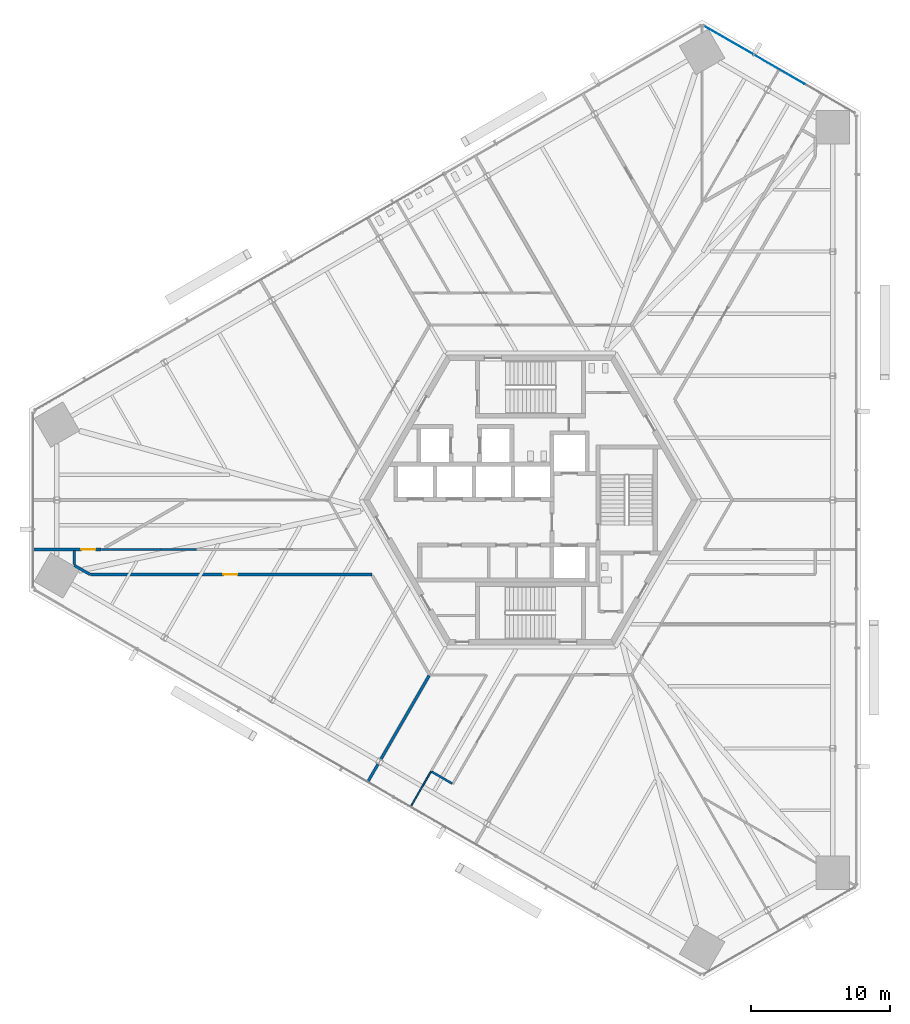
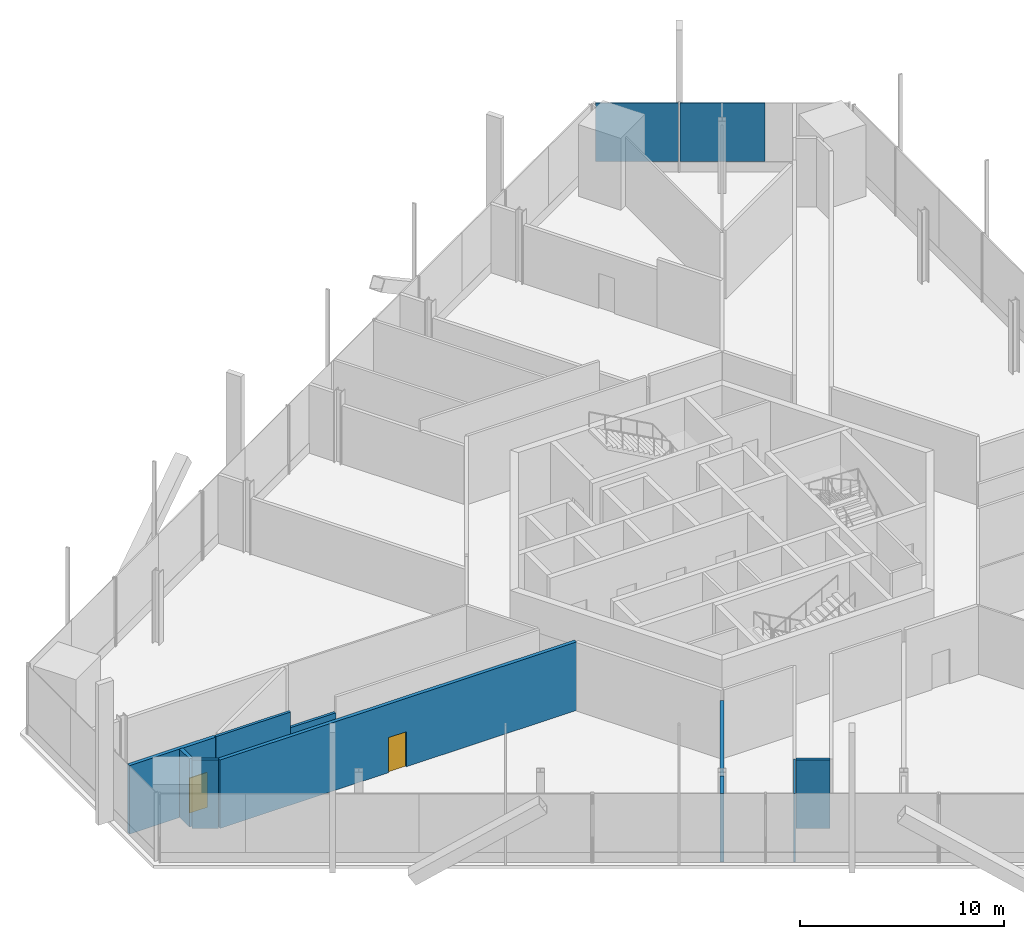
# One storey, part 10 of 19: 10 walls, 2 doors, 2 plates, 2 openings, 1 element without a shape of its own.
"""IFC4 building model written with IfcOpenShell, lengths in metres."""

import ifcopenshell
import ifcopenshell.guid

model = None  # the IFC model being written
_history = None  # IfcOwnerHistory: only IFC2X3 demands one
_inside = {}  # id of a spatial element -> (the spatial element, [elements in it])
_under = {}  # id of a project, library or spatial element -> (it, [spatial elements below it])
_declared = {}  # id of a project -> (the project, [libraries it declares])
_typed = {}  # id of a type object -> (the type object, [elements of that type])
_made_of = {}  # id of a material, layer set ... -> (it, [elements and type objects made of it])


def new_model(schema):
    """Start an empty IFC model of exactly this schema.

    Asked for "IFC4X3", IfcOpenShell would pick the latest addendum, in which some entities
    have other attributes; the version numbers below select the first issue.
    IFC2X3 requires an IfcOwnerHistory on every rooted entity: one is made here for all.
    """
    global model, _history
    if schema == "IFC4X3":
        model = ifcopenshell.file(schema_version=(4, 3, 0, 0))
    else:
        model = ifcopenshell.file(schema=schema)
    _inside.clear()
    _under.clear()
    _declared.clear()
    _typed.clear()
    _made_of.clear()
    _history = None
    if model.schema == "IFC2X3":
        org = make("IfcOrganization", Name="unknown")
        user = make(
            "IfcPersonAndOrganization",
            ThePerson=make("IfcPerson", FamilyName="unknown"),
            TheOrganization=org,
        )
        app = make(
            "IfcApplication",
            ApplicationDeveloper=org,
            Version="unknown",
            ApplicationFullName="unknown",
            ApplicationIdentifier="unknown",
        )
        _history = make(
            "IfcOwnerHistory",
            OwningUser=user,
            OwningApplication=app,
            ChangeAction="ADDED",
            CreationDate=0,
        )
    return model


def make(cls, **values):
    """One entity of the class cls with the attributes given. An attribute that is None is left unset."""
    return model.create_entity(
        cls, **{name: value for name, value in values.items() if value is not None}
    )


def rooted(cls, **values):
    """An entity with a GlobalId (a new one), such as an element, a storey or a relation."""
    return make(cls, GlobalId=ifcopenshell.guid.new(), OwnerHistory=_history, **values)


def si_unit(unit_type, name, prefix=None):
    """IfcSIUnit, for example si_unit("LENGTHUNIT", "METRE", prefix="MILLI")."""
    return make("IfcSIUnit", UnitType=unit_type, Prefix=prefix, Name=name)


def assignment(units):
    """IfcUnitAssignment: the units of a project."""
    return None if units is None else make("IfcUnitAssignment", Units=units)


def point(xyz):
    """IfcCartesianPoint."""
    return None if xyz is None else make("IfcCartesianPoint", Coordinates=xyz)


def direction(xyz):
    """IfcDirection."""
    return None if xyz is None else make("IfcDirection", DirectionRatios=xyz)


def frame(location, z_axis=None, x_axis=None):
    """IfcAxis2Placement3D, a coordinate frame: its origin and axes. An axis left out is left unset."""
    return make(
        "IfcAxis2Placement3D",
        Location=point(location),
        Axis=direction(z_axis),
        RefDirection=direction(x_axis),
    )


def frame_2d(location, x_axis=None):
    """IfcAxis2Placement2D, a coordinate frame in the plane: its origin and x axis."""
    return make(
        "IfcAxis2Placement2D", Location=point(location), RefDirection=direction(x_axis)
    )


def origin():
    """The frame at (0, 0, 0) with its axes left unset."""
    return frame((0.0, 0.0, 0.0))


def origin_2d():
    """The frame at (0, 0) in the plane with its x axis left unset."""
    return frame_2d((0.0, 0.0))


def place(relative_to, where):
    """IfcLocalPlacement: puts the frame where relative to a parent placement (None: the world)."""
    return make(
        "IfcLocalPlacement", PlacementRelTo=relative_to, RelativePlacement=where
    )


def context(
    kind, dimensions, precision=None, world=None, true_north=None, identifier=None
):
    """IfcGeometricRepresentationContext, for example the 3D "Model" context."""
    return make(
        "IfcGeometricRepresentationContext",
        ContextIdentifier=identifier,
        ContextType=kind,
        CoordinateSpaceDimension=dimensions,
        Precision=precision,
        WorldCoordinateSystem=world,
        TrueNorth=true_north,
    )


def subcontext(parent, identifier, kind, view, scale=None):
    """IfcGeometricRepresentationSubContext, for example "Body" below "Model"."""
    return make(
        "IfcGeometricRepresentationSubContext",
        ContextIdentifier=identifier,
        ContextType=kind,
        ParentContext=parent,
        TargetScale=scale,
        TargetView=view,
    )


def project(units=None, contexts=None):
    """IfcProject with its units and contexts."""
    return rooted(
        "IfcProject",
        Name="project",
        RepresentationContexts=contexts,
        UnitsInContext=assignment(units),
    )


def spatial(cls, under=None, at=None, **own):
    """A site, building, storey or space (cls), placed at a placement, below another one or the project."""
    s = rooted(cls, ObjectPlacement=at, **own)
    if under is not None:
        _under.setdefault(under.id(), (under, []))[1].append(s)
    return s


def profile(cls, at=None, kind="AREA", **sizes):
    """A parametric profile (cls). Its sizes go by their IFC names, for example OverallWidth=200.0."""
    return make(cls, ProfileType=kind, Position=at, **sizes)


def rectangle(**sizes):
    """IfcRectangleProfileDef."""
    return profile("IfcRectangleProfileDef", **sizes)


def extrude(swept, where, along, depth):
    """IfcExtrudedAreaSolid: the profile swept, set in the frame where, extruded along a direction by depth."""
    return make(
        "IfcExtrudedAreaSolid",
        SweptArea=swept,
        Position=where,
        ExtrudedDirection=direction(along),
        Depth=depth,
    )


def shape(context_of_items, identifier, shape_type, items):
    """IfcShapeRepresentation: the items that make up one representation, for example the "Body"."""
    return make(
        "IfcShapeRepresentation",
        ContextOfItems=context_of_items,
        RepresentationIdentifier=identifier,
        RepresentationType=shape_type,
        Items=items,
    )


def source(mapping_origin, context_of_items, identifier, shape_type, items):
    """IfcRepresentationMap: a shape defined once, which mapped items show again and again."""
    return make(
        "IfcRepresentationMap",
        MappingOrigin=mapping_origin,
        MappedRepresentation=shape(context_of_items, identifier, shape_type, items),
    )


def transform(
    local_origin,
    x_axis=None,
    y_axis=None,
    z_axis=None,
    scale=None,
    scale2=None,
    scale3=None,
    uniform=True,
):
    """IfcCartesianTransformationOperator3D, or its non-uniform kind. x_axis, y_axis, z_axis: its Axis1, 2, 3."""
    if uniform:
        return make(
            "IfcCartesianTransformationOperator3D",
            Axis1=direction(x_axis),
            Axis2=direction(y_axis),
            LocalOrigin=point(local_origin),
            Scale=scale,
            Axis3=direction(z_axis),
        )
    return make(
        "IfcCartesianTransformationOperator3DnonUniform",
        Axis1=direction(x_axis),
        Axis2=direction(y_axis),
        LocalOrigin=point(local_origin),
        Scale=scale,
        Axis3=direction(z_axis),
        Scale2=scale2,
        Scale3=scale3,
    )


def mapped(mapping_source, mapping_target):
    """IfcMappedItem: shows the shape of a source again, moved by a transform."""
    return make(
        "IfcMappedItem", MappingSource=mapping_source, MappingTarget=mapping_target
    )


def material(Name=None, Category=None):
    """IfcMaterial."""
    return make("IfcMaterial", Name=Name, Category=Category)


def layer(
    of_material, thickness, ventilated=None, Name=None, Category=None, Priority=None
):
    """IfcMaterialLayer: one layer of a wall or slab, of a material (None: an air gap)."""
    return make(
        "IfcMaterialLayer",
        Material=of_material,
        LayerThickness=thickness,
        IsVentilated=ventilated,
        Name=Name,
        Category=Category,
        Priority=Priority,
    )


def layer_set(layers, Name=None):
    """IfcMaterialLayerSet."""
    return make("IfcMaterialLayerSet", MaterialLayers=layers, LayerSetName=Name)


def made_of(thing, what):
    """Note that an element or type object is made of a material, layer set ...; save() writes the relation."""
    if what is not None:
        _made_of.setdefault(what.id(), (what, []))[1].append(thing)
    return thing


def type_object(cls, material=None, **own):
    """A type object (cls), such as IfcWallType, which elements share."""
    return made_of(rooted(cls, **own), material)


def element(
    cls,
    number,
    at=None,
    inside=None,
    cuts=None,
    type_object=None,
    material=None,
    context=None,
    identifier="Body",
    shape_type=None,
    held_by="IfcProductDefinitionShape",
    body=None,
    shapes=None,
    **own,
):
    """One element of the class cls, such as IfcWall. Its Tag is "e" and its number.

    at: its placement. inside: the storey or other place that contains it. cuts: it is an
    opening in that element (IfcRelVoidsElement). A single representation is given by context,
    identifier, shape_type and body (its items); several are given by shapes. held_by: the class
    of the entity that holds the representations. save() writes the other relations.
    """
    e = rooted(cls, Tag="e%d" % number, ObjectPlacement=at, **own)
    if body is not None:
        shapes = [shape(context, identifier, shape_type, body)]
    if shapes is not None:
        e.Representation = make(held_by, Representations=shapes)
    if inside is not None:
        _inside.setdefault(inside.id(), (inside, []))[1].append(e)
    if cuts is not None:
        rooted(
            "IfcRelVoidsElement", RelatingBuildingElement=cuts, RelatedOpeningElement=e
        )
    if type_object is not None:
        _typed.setdefault(type_object.id(), (type_object, []))[1].append(e)
    return made_of(e, material)


def fill(opening, filler):
    """IfcRelFillsElement: the door or window that sits in an opening."""
    return rooted(
        "IfcRelFillsElement",
        RelatingOpeningElement=opening,
        RelatedBuildingElement=filler,
    )


def aggregate(whole, parts):
    """IfcRelAggregates: a whole, such as a stair, and the parts it consists of."""
    return rooted("IfcRelAggregates", RelatingObject=whole, RelatedObjects=parts)


def save(model, path):
    """Write the relations noted so far, then the file.

    IfcRelAggregates (storeys below a building ...), IfcRelContainedInSpatialStructure (elements
    in a storey), IfcRelDefinesByType, IfcRelAssociatesMaterial and IfcRelDeclares: one each for
    every whole, place, type object, material and project.
    """
    for whole, parts in _under.values():
        aggregate(whole, parts)
    for where, things in _inside.values():
        rooted(
            "IfcRelContainedInSpatialStructure",
            RelatedElements=things,
            RelatingStructure=where,
        )
    for kind, things in _typed.values():
        rooted("IfcRelDefinesByType", RelatedObjects=things, RelatingType=kind)
    for what, things in _made_of.values():
        rooted("IfcRelAssociatesMaterial", RelatedObjects=things, RelatingMaterial=what)
    for by, libraries in _declared.values():
        rooted("IfcRelDeclares", RelatingContext=by, RelatedDefinitions=libraries)
    model.write(path)


model = new_model("IFC4")

# Units and contexts
model_context = context("Model", 3, precision=1e-05, world=origin(), true_north=direction((0.0, 1.0)))
body_context = subcontext(model_context, "Body", "Model", "MODEL_VIEW")
ifc_project = project(units=[si_unit("LENGTHUNIT", "METRE"), si_unit("AREAUNIT", "SQUARE_METRE"), si_unit("VOLUMEUNIT", "CUBIC_METRE"), si_unit("PLANEANGLEUNIT", "RADIAN"), si_unit("MASSUNIT", "GRAM", prefix="KILO")], contexts=[model_context])

# Site, building, storey
site_placement = place(None, origin())
site = spatial("IfcSite", under=ifc_project, at=site_placement, CompositionType="ELEMENT")
building_placement = place(site_placement, origin())
building = spatial("IfcBuilding", under=site, at=building_placement, Name="Triune Harvest Tower", CompositionType="ELEMENT")
storey_placement = place(building_placement, frame((0.0, 0.0, 24.60009765625)))
storey = spatial("IfcBuildingStorey", under=building, at=storey_placement, Name="L05", CompositionType="ELEMENT", Elevation=24.60009765625)

# Curtain wall, plates
ifc_material_1 = material(Name="Aluminium bronze anodised", Category="aluminium")
curtain_wall_type = type_object("IfcCurtainWallType", Name="CW-3 Farm floor curtain wall", PredefinedType="NOTDEFINED", material=ifc_material_1)
curtain_wall_placement = place(storey_placement, origin())
curtain_wall = element("IfcCurtainWall", 1, at=curtain_wall_placement, inside=storey, type_object=curtain_wall_type, Name="CW-3 B1-F2 L05 run 1")
ifc_material_2 = material(Name="Glass", Category="glass")
ifc_layer_1 = layer(ifc_material_2, 0.035888671875)
ifc_layer_set_1 = layer_set([ifc_layer_1], Name="Glass")
plate_type = type_object("IfcPlateType", Name="GL-3 panel 36", PredefinedType="CURTAIN_PANEL", material=ifc_layer_set_1)
shared_shape_1 = source(origin(), body_context, "Body", "SweptSolid", [
    extrude(rectangle(XDim=4.157958984375, YDim=0.035888671875, at=origin_2d()), origin(), (0.0, 0.0, 1.0), 3.5),
])
plate_1_placement = place(storey_placement, frame((17.857666015625, 30.89013671875, 0.599853515625), z_axis=(0.0, 0.0, 1.0), x_axis=(-0.866026145592, 0.499998715149, 0.0)))
plate_1 = element("IfcPlate", 2, at=plate_1_placement, type_object=plate_type, Name="CW-3 panel B1-F2 1.2", PredefinedType="CURTAIN_PANEL", context=body_context, shape_type="MappedRepresentation", body=[
    mapped(shared_shape_1, transform((0.0, 0.0, 0.0), scale=1.0)),
])
shared_shape_2 = source(origin(), body_context, "Body", "SweptSolid", [
    extrude(rectangle(XDim=4.077880859375, YDim=0.035888671875, at=origin_2d()), origin(), (0.0, 0.0, 1.0), 3.5),
])
plate_2_placement = place(storey_placement, frame((14.22216796875, 32.989013671875, 0.599853515625), z_axis=(0.0, 0.0, 1.0), x_axis=(-0.866026145592, 0.499998715149, 0.0)))
plate_2 = element("IfcPlate", 3, at=plate_2_placement, type_object=plate_type, Name="CW-3 panel B1-F2 1.3", PredefinedType="CURTAIN_PANEL", context=body_context, shape_type="MappedRepresentation", body=[
    mapped(shared_shape_2, transform((0.0, 0.0, 0.0), scale=1.0)),
])
aggregate(curtain_wall, [plate_1, plate_2])

# Walls
ifc_material_3 = material(Name="Gypsum board on steel studs", Category="steel")
ifc_layer_2 = layer(ifc_material_3, 0.199951171875)
ifc_layer_set_2 = layer_set([ifc_layer_2], Name="Gypsum board on steel studs")
wall_type_1 = type_object("IfcWallType", Name="Fire Wall 200 mm", PredefinedType="PARTITIONING", material=ifc_layer_set_2)
shared_shape_3 = source(origin(), body_context, "Body", "SweptSolid", [
    extrude(rectangle(XDim=1.49853515625, YDim=0.199951171875, at=frame_2d((0.749267578125, 0.0))), origin(), (0.0, 0.0, 1.0), 4.099853515625),
])
wall_1_placement = place(storey_placement, frame((-11.685546875, -20.240234375, 0.0), z_axis=(0.0, 0.0, 1.0), x_axis=(0.499976292358, 0.866039090965, 0.0)))
element("IfcWall", 4, at=wall_1_placement, inside=storey, type_object=wall_type_1, Name="Partition L05 054", PredefinedType="PARTITIONING", context=body_context, shape_type="MappedRepresentation", body=[
    mapped(shared_shape_3, transform((0.0, 0.0, 0.0), scale=1.0)),
])
shared_shape_4 = source(origin(), body_context, "Body", "SweptSolid", [
    extrude(rectangle(XDim=6.933837890625, YDim=0.199951171875, at=frame_2d((3.466796875, 0.0))), origin(), (0.0, 0.0, 1.0), 3.48779296875),
])
wall_2_placement = place(storey_placement, frame((-10.7431640625, -18.607666015625, 0.0), z_axis=(0.0, 0.0, 1.0), x_axis=(0.499986605379, 0.866033137035, 0.0)))
element("IfcWall", 5, at=wall_2_placement, inside=storey, type_object=wall_type_1, Name="Partition L05 055", PredefinedType="PARTITIONING", context=body_context, shape_type="MappedRepresentation", body=[
    mapped(shared_shape_4, transform((0.0, 0.0, 0.0), scale=1.0)),
])
shared_shape_5 = source(origin(), body_context, "Body", "SweptSolid", [
    extrude(rectangle(XDim=1.303466796875, YDim=0.199951171875, at=frame_2d((0.65185546875, 0.0))), origin(), (0.0, 0.0, 1.0), 4.099853515625),
])
wall_3_placement = place(storey_placement, frame((-32.73828125, -4.68798828125, 0.0), z_axis=(0.0, 0.0, 1.0), x_axis=(0.865951608824, -0.500127794843, 0.0)))
element("IfcWall", 6, at=wall_3_placement, inside=storey, type_object=wall_type_1, Name="Partition L05 017", PredefinedType="PARTITIONING", context=body_context, shape_type="MappedRepresentation", body=[
    mapped(shared_shape_5, transform((0.0, 0.0, 0.0), scale=1.0)),
])
ifc_material_4 = material(Name="Gypsum board on steel studs", Category="steel")
ifc_layer_3 = layer(ifc_material_4, 0.14990234375)
ifc_layer_set_3 = layer_set([ifc_layer_3], Name="Gypsum board on steel studs")
wall_type_2 = type_object("IfcWallType", Name="Fire Partition 150 mm", PredefinedType="PARTITIONING", material=ifc_layer_set_3)
shared_shape_6 = source(origin(), body_context, "Body", "SweptSolid", [
    extrude(rectangle(XDim=1.689697265625, YDim=0.14990234375, at=frame_2d((0.8447265625, 0.0))), origin(), (0.0, 0.0, 1.0), 4.099853515625),
])
wall_4_placement = place(storey_placement, frame((-7.084228515625, -19.500244140625, 0.0), z_axis=(0.0, 0.0, 1.0), x_axis=(0.866002725405, -0.500039278049, 0.0)))
element("IfcWall", 7, at=wall_4_placement, inside=storey, type_object=wall_type_2, Name="Partition L05 018", PredefinedType="PARTITIONING", context=body_context, shape_type="MappedRepresentation", body=[
    mapped(shared_shape_6, transform((0.0, 0.0, 0.0), scale=1.0)),
])
shared_shape_7 = source(origin(), body_context, "Body", "SweptSolid", [
    extrude(rectangle(XDim=0.9833984375, YDim=0.199951171875, at=frame_2d((0.49169921875, 0.0))), origin(), (0.0, 0.0, 1.0), 4.099853515625),
])
wall_5_placement = place(storey_placement, frame((-32.738525390625, -4.618408203125, 0.0), z_axis=(0.0, 0.0, 1.0), x_axis=(0.0, 1.0, 0.0)))
element("IfcWall", 8, at=wall_5_placement, inside=storey, type_object=wall_type_1, Name="Partition L05 065", PredefinedType="PARTITIONING", context=body_context, shape_type="MappedRepresentation", body=[
    mapped(shared_shape_7, transform((0.0, 0.0, 0.0), scale=1.0)),
])

# Wall, opening, door
shared_shape_8 = source(origin(), body_context, "Body", "SweptSolid", [
    extrude(rectangle(XDim=20.193115234375, YDim=0.199951171875, at=frame_2d((10.0966796875, 0.0))), origin(), (0.0, 0.0, 1.0), 4.099853515625),
])
wall_6_placement = place(storey_placement, frame((-31.583984375, -5.35498046875, 0.0), z_axis=(0.0, 0.0, 1.0), x_axis=(1.0, 0.0, 0.0)))
wall_6 = element("IfcWall", 9, at=wall_6_placement, inside=storey, type_object=wall_type_1, Name="Partition L05 027", PredefinedType="PARTITIONING", context=body_context, shape_type="MappedRepresentation", body=[
    mapped(shared_shape_8, transform((0.0, 0.0, 0.0), scale=1.0)),
])
opening_1_placement = place(wall_6_placement, frame((9.548095703125, 0.0, 0.0)))
opening_1 = element("IfcOpeningElement", 10, at=opening_1_placement, cuts=wall_6, Name="Opening L05-018", PredefinedType="OPENING", context=body_context, shape_type="SweptSolid", body=[
    extrude(rectangle(XDim=1.0, YDim=2.10009765625, at=frame_2d((0.5, 1.050048828125))), frame((0.0, 0.10986328125, 0.0), z_axis=(0.0, -1.0, 0.0), x_axis=(1.0, 0.0, 0.0)), (0.0, 0.0, 1.0), 0.219970703125),
])
ifc_material_5 = material(Name="Timber and steel door set", Category="steel")
door_type = type_object("IfcDoorType", Name="Wide single leaf door FD60 right hand 1000 x 2100", OperationType="SINGLE_SWING_RIGHT", PredefinedType="DOOR", material=ifc_material_5)
door_1_placement = place(opening_1_placement, origin())
door_1 = element("IfcDoor", 11, at=door_1_placement, inside=storey, type_object=door_type, Name="Door L05-018 Growing Room 05.18", OperationType="SINGLE_SWING_RIGHT", OverallHeight=2.10009765625, OverallWidth=1.0, PredefinedType="DOOR", context=body_context, shape_type="SweptSolid", body=[
    extrude(rectangle(XDim=1.0, YDim=2.10009765625, at=frame_2d((0.5, 1.050048828125))), frame((0.0, 0.02490234375, 0.0), z_axis=(0.0, -1.0, 0.0), x_axis=(1.0, 0.0, 0.0)), (0.0, 0.0, 1.0), 0.050048828125),
])
fill(opening_1, door_1)

shared_shape_9 = source(origin(), body_context, "Body", "SweptSolid", [
    extrude(rectangle(XDim=4.87060546875, YDim=0.199951171875, at=frame_2d((2.435302734375, 0.0))), origin(), (0.0, 0.0, 1.0), 4.099853515625),
])
wall_7_placement = place(storey_placement, frame((-35.680419921875, -3.554931640625, 0.0), z_axis=(0.0, 0.0, 1.0), x_axis=(1.0, 0.0, 0.0)))
wall_7 = element("IfcWall", 12, at=wall_7_placement, inside=storey, type_object=wall_type_1, Name="Partition L05 029", PredefinedType="PARTITIONING", context=body_context, shape_type="MappedRepresentation", body=[
    mapped(shared_shape_9, transform((0.0, 0.0, 0.0), scale=1.0)),
])
opening_2_placement = place(wall_7_placement, frame((3.454833984375, 0.0, 0.0)))
opening_2 = element("IfcOpeningElement", 13, at=opening_2_placement, cuts=wall_7, Name="Opening L05-016", PredefinedType="OPENING", context=body_context, shape_type="SweptSolid", body=[
    extrude(rectangle(XDim=1.0, YDim=2.10009765625, at=frame_2d((0.5, 1.050048828125))), frame((0.0, 0.10986328125, 0.0), z_axis=(0.0, -1.0, 0.0), x_axis=(1.0, 0.0, 0.0)), (0.0, 0.0, 1.0), 0.219970703125),
])
door_2_placement = place(opening_2_placement, origin())
door_2 = element("IfcDoor", 14, at=door_2_placement, inside=storey, type_object=door_type, Name="Door L05-016 Growing Room 05.16", OperationType="SINGLE_SWING_RIGHT", OverallHeight=2.10009765625, OverallWidth=1.0, PredefinedType="DOOR", context=body_context, shape_type="SweptSolid", body=[
    extrude(rectangle(XDim=1.0, YDim=2.10009765625, at=frame_2d((0.5, 1.050048828125))), frame((0.0, 0.02490234375, 0.0), z_axis=(0.0, -1.0, 0.0), x_axis=(1.0, 0.0, 0.0)), (0.0, 0.0, 1.0), 0.050048828125),
])
fill(opening_2, door_2)

# Walls
shared_shape_10 = source(origin(), body_context, "Body", "SweptSolid", [
    extrude(rectangle(XDim=4.23974609375, YDim=0.14990234375, at=frame_2d((2.119873046875, 0.0))), origin(), (0.0, 0.0, 1.0), 4.099853515625),
])
wall_8_placement = place(storey_placement, frame((-30.769775390625, -3.554931640625, 0.0), z_axis=(0.0, 0.0, 1.0), x_axis=(1.0, 0.0, 0.0)))
element("IfcWall", 15, at=wall_8_placement, inside=storey, type_object=wall_type_2, Name="Partition L05 030", PredefinedType="PARTITIONING", context=body_context, shape_type="MappedRepresentation", body=[
    mapped(shared_shape_10, transform((0.0, 0.0, 0.0), scale=1.0)),
])
shared_shape_11 = source(origin(), body_context, "Body", "SweptSolid", [
    extrude(rectangle(XDim=2.552734375, YDim=0.14990234375, at=frame_2d((1.2763671875, 0.0))), origin(), (0.0, 0.0, 1.0), 3.157470703125),
])
wall_9_placement = place(storey_placement, frame((-26.530029296875, -3.554931640625, 0.0), z_axis=(0.0, 0.0, 1.0), x_axis=(1.0, 0.0, 0.0)))
element("IfcWall", 16, at=wall_9_placement, inside=storey, type_object=wall_type_2, Name="Partition L05 030a", PredefinedType="PARTITIONING", context=body_context, shape_type="MappedRepresentation", body=[
    mapped(shared_shape_11, transform((0.0, 0.0, 0.0), scale=1.0)),
])
ifc_material_6 = material(Name="Gypsum board on steel studs", Category="steel")
ifc_layer_4 = layer(ifc_material_6, 0.10009765625)
ifc_layer_set_4 = layer_set([ifc_layer_4], Name="Gypsum board on steel studs")
wall_type_3 = type_object("IfcWallType", Name="Partition 100 mm", PredefinedType="PARTITIONING", material=ifc_layer_set_4)
shared_shape_12 = source(origin(), body_context, "Body", "SweptSolid", [
    extrude(rectangle(XDim=2.94091796875, YDim=0.10009765625, at=frame_2d((1.470458984375, 0.0))), origin(), (0.0, 0.0, 1.0), 4.099853515625),
])
wall_10_placement = place(storey_placement, frame((-8.60693359375, -22.017578125, 0.0), z_axis=(0.0, 0.0, 1.0), x_axis=(0.500005104963, 0.866022456413, 0.0)))
element("IfcWall", 17, at=wall_10_placement, inside=storey, type_object=wall_type_3, Name="Partition L05 049", PredefinedType="PARTITIONING", context=body_context, shape_type="MappedRepresentation", body=[
    mapped(shared_shape_12, transform((0.0, 0.0, 0.0), scale=1.0)),
])

save(model, "model.ifc")
